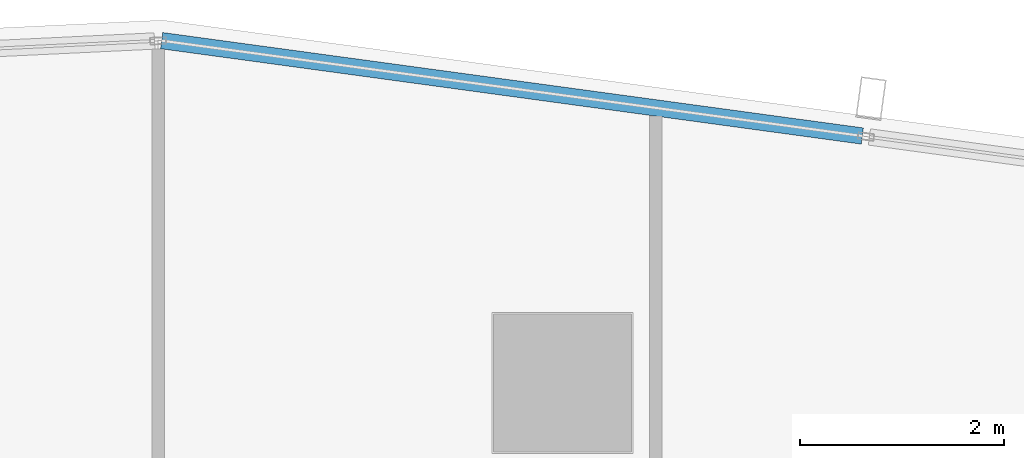
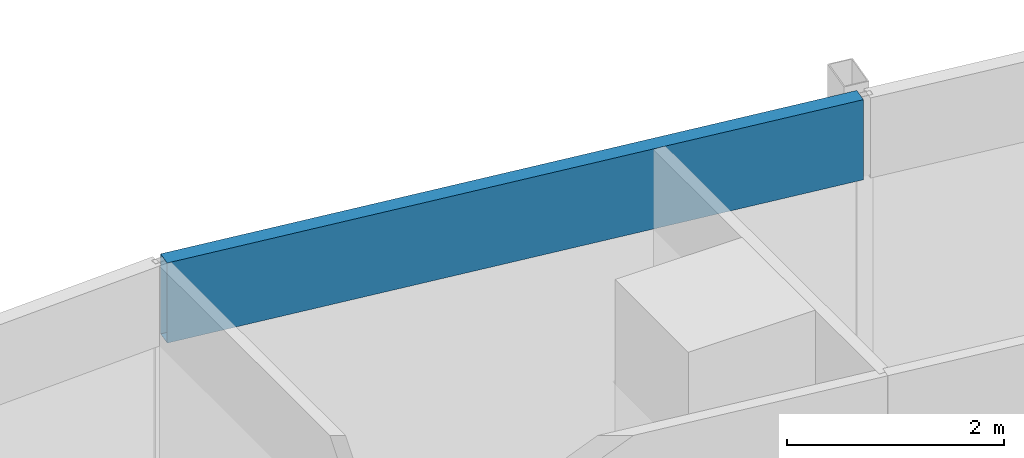
# One storey, part 22 of 38: 1 member, 1 element without a shape of its own.
"""IFC4 building model written with IfcOpenShell, lengths in metres."""

from ifc_helpers import new_model, si_unit, direction, frame, origin, origin_2d, place, context, subcontext, project, spatial, hollow_rectangle, extrude, material, material_profile, profile_set, type_object, element, aggregate, save


model = new_model("IFC4")

# Units and contexts
model_context = context("Model", 3, precision=1e-05, world=origin(), true_north=direction((0.0, 1.0)))
body_context = subcontext(model_context, "Body", "Model", "MODEL_VIEW")
ifc_project = project(units=[si_unit("LENGTHUNIT", "METRE"), si_unit("AREAUNIT", "SQUARE_METRE"), si_unit("VOLUMEUNIT", "CUBIC_METRE"), si_unit("PLANEANGLEUNIT", "RADIAN"), si_unit("MASSUNIT", "GRAM", prefix="KILO")], contexts=[model_context])

# Site, building, storey
site_placement = place(None, origin())
site = spatial("IfcSite", under=ifc_project, at=site_placement, CompositionType="ELEMENT")
building_placement = place(site_placement, origin())
building = spatial("IfcBuilding", under=site, at=building_placement, Name="Rekha Terrace Tower", CompositionType="ELEMENT")
storey_placement = place(building_placement, frame((0.0, 0.0, 202.699951171875)))
storey = spatial("IfcBuildingStorey", under=building, at=storey_placement, Name="L51", CompositionType="ELEMENT", Elevation=202.699951171875)

# Curtain wall, member
ifc_material_1 = material(Name="Aluminium framing", Category="aluminium")
curtain_wall_type = type_object("IfcCurtainWallType", Name="CW3 north unitised glazing", PredefinedType="USERDEFINED", material=ifc_material_1)
curtain_wall_placement = place(storey_placement, origin())
curtain_wall = element("IfcCurtainWall", 1, at=curtain_wall_placement, inside=storey, type_object=curtain_wall_type, Name="CW3 unitised curtain wall", ObjectType="UNITISED CURTAIN WALL", PredefinedType="USERDEFINED")
ifc_material_2 = material(Name="Insulated aluminium spandrel box", Category="aluminium")
ifc_material_profile = material_profile(ifc_material_2, hollow_rectangle(XDim=0.159912109375, YDim=0.89990234375, WallThickness=0.0029296875, at=origin_2d()), Name="AL SPANDREL BOX 160x900")
ifc_profile_set = profile_set([ifc_material_profile], Name="Insulated aluminium spandrel box")
member_type = type_object("IfcMemberType", Name="CW3 spandrel transom 160 x 900", PredefinedType="USERDEFINED", material=ifc_profile_set)
member_placement = place(storey_placement, frame((53.334716796875, 61.21630859375, 3.050048828125), z_axis=(-0.990863635349, 0.134867550367, 0.0), x_axis=(-0.134867550367, -0.990863635349, 0.0)))
member = element("IfcMember", 2, at=member_placement, type_object=member_type, Name="CW3 spandrel transom 2", ObjectType="TRANSOM", PredefinedType="USERDEFINED", context=body_context, shape_type="SweptSolid", body=[
    extrude(hollow_rectangle(XDim=0.159912109375, YDim=0.89990234375, WallThickness=0.0029296875, at=origin_2d()), origin(), (0.0, 0.0, 1.0), 6.918701171875),
])
aggregate(curtain_wall, [member])

save(model, "model.ifc")
